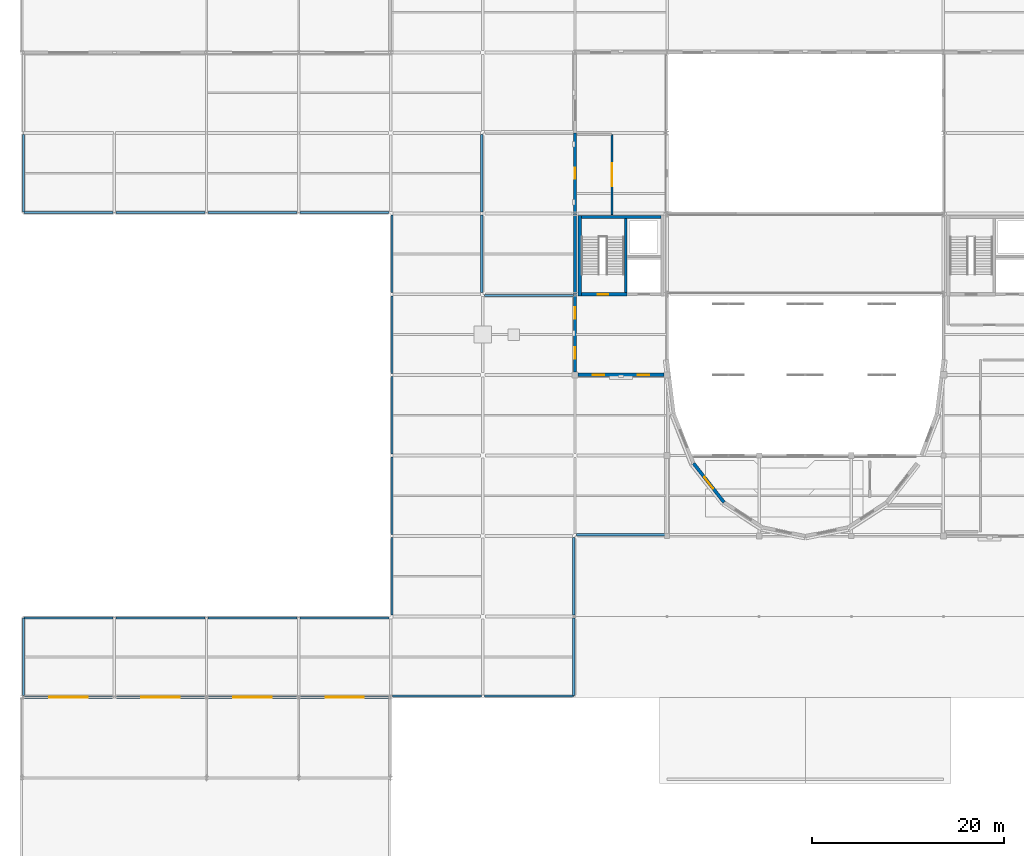
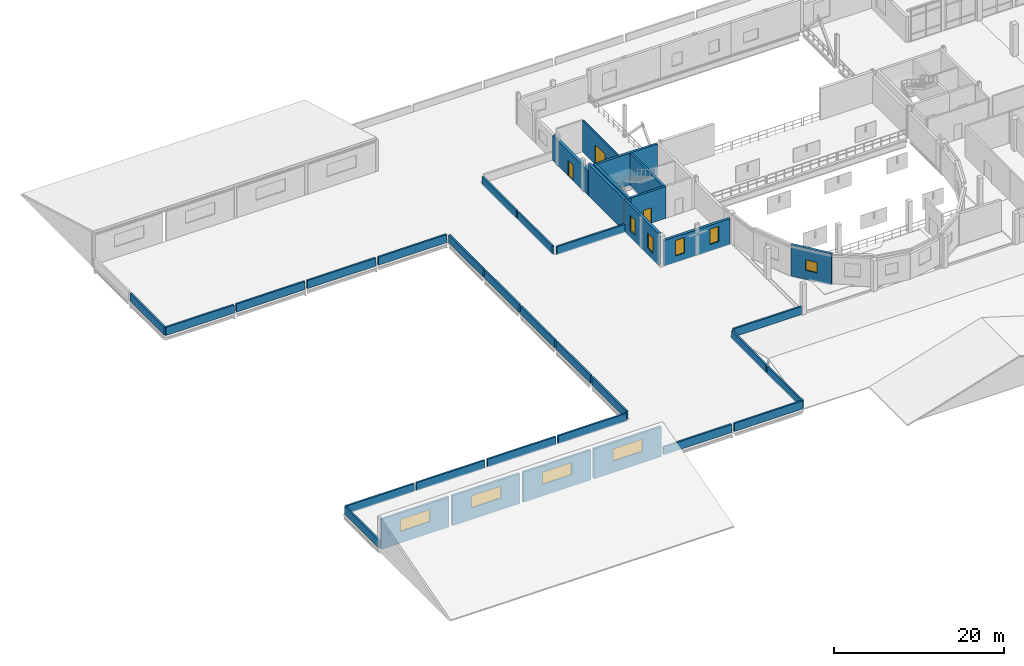
# One storey, part 39 of 52: 37 walls, 9 windows, 3 doors, 12 openings.
"""IFC4 building model written with IfcOpenShell, lengths in metres."""

from ifc_helpers import new_model, si_unit, direction, frame, frame_2d, origin, place, context, subcontext, project, spatial, rectangle, extrude, material, layer, layer_set, type_object, element, fill, save


model = new_model("IFC4")

# Units and contexts
model_context = context("Model", 3, precision=1e-05, world=origin(), true_north=direction((0.0, 1.0)))
body_context = subcontext(model_context, "Body", "Model", "MODEL_VIEW")
ifc_project = project(units=[si_unit("LENGTHUNIT", "METRE"), si_unit("AREAUNIT", "SQUARE_METRE"), si_unit("VOLUMEUNIT", "CUBIC_METRE"), si_unit("PLANEANGLEUNIT", "RADIAN"), si_unit("MASSUNIT", "GRAM", prefix="KILO")], contexts=[model_context])

# Site, building, storey
site_placement = place(None, origin())
site = spatial("IfcSite", under=ifc_project, at=site_placement, CompositionType="ELEMENT")
building_placement = place(site_placement, origin())
building = spatial("IfcBuilding", under=site, at=building_placement, Name="Lornevale Opera House", CompositionType="ELEMENT")
storey_placement = place(building_placement, frame((0.0, 0.0, 15.0)))
storey = spatial("IfcBuildingStorey", under=building, at=storey_placement, Name="L04", CompositionType="ELEMENT", Elevation=15.0)

# Wall, opening, door
ifc_material_1 = material(Name="Concrete 40 MPa (CSA A23.1 C-1)", Category="concrete")
ifc_layer_1 = layer(ifc_material_1, 0.320068359375)
ifc_layer_set_1 = layer_set([ifc_layer_1], Name="Concrete 40 MPa (CSA A23.1 C-1)")
wall_type_1 = type_object("IfcWallType", Name="Core Shear Wall 320", PredefinedType="SHEAR", material=ifc_layer_set_1)
wall_1_placement = place(storey_placement, frame((58.260009765625, 58.800048828125, 0.0), z_axis=(0.0, 0.0, 1.0), x_axis=(1.0, 0.0, 0.0)))
wall_1 = element("IfcWall", 1, at=wall_1_placement, inside=storey, type_object=wall_type_1, Name="Auditorium West Tier Core Core Shear Wall 320 WL-COR-0183", PredefinedType="SHEAR", context=body_context, shape_type="SweptSolid", body=[
    extrude(rectangle(XDim=4.780029296875, YDim=0.320068359375, at=frame_2d((2.39013671875, 0.0))), origin(), (0.0, 0.0, 1.0), 4.56005859375),
])
opening_1_placement = place(wall_1_placement, frame((1.68994140625, 0.0, 0.0)))
opening_1 = element("IfcOpeningElement", 2, at=opening_1_placement, cuts=wall_1, Name="Opening DR-T10", PredefinedType="OPENING", context=body_context, shape_type="SweptSolid", body=[
    extrude(rectangle(XDim=1.10009765625, YDim=2.199951171875, at=frame_2d((0.550048828125, 1.10009765625))), frame((0.0, 0.169921875, 0.0), z_axis=(0.0, -1.0, 0.0), x_axis=(1.0, 0.0, 0.0)), (0.0, 0.0, 1.0), 0.340087890625),
])
ifc_material_2 = material(Name="Painted Hollow Metal Door Steel", Category="steel")
ifc_layer_2 = layer(ifc_material_2, 2.199951171875)
ifc_layer_set_2 = layer_set([ifc_layer_2], Name="Painted Hollow Metal Door Steel")
door_type_1 = type_object("IfcDoorType", Name="Protected Exit Stair Door L 1100x2200", OperationType="NOTDEFINED", PredefinedType="DOOR", material=ifc_layer_set_2)
door_1_placement = place(opening_1_placement, origin())
door_1 = element("IfcDoor", 3, at=door_1_placement, inside=storey, type_object=door_type_1, Name="C5 Stair Door L04", OperationType="SINGLE_SWING_LEFT", OverallHeight=2.199951171875, OverallWidth=1.10009765625, PredefinedType="DOOR", context=body_context, shape_type="SweptSolid", body=[
    extrude(rectangle(XDim=1.10009765625, YDim=2.199951171875, at=frame_2d((0.550048828125, 1.10009765625))), frame((0.0, 0.02490234375, 0.0), z_axis=(0.0, -1.0, 0.0), x_axis=(1.0, 0.0, 0.0)), (0.0, 0.0, 1.0), 0.050048828125),
])
fill(opening_1, door_1)

# Walls
wall_2_placement = place(storey_placement, frame((66.5400390625, 66.840087890625, 0.0), z_axis=(0.0, 0.0, 1.0), x_axis=(-1.0, 0.0, 0.0)))
element("IfcWall", 4, at=wall_2_placement, inside=storey, type_object=wall_type_1, Name="Auditorium West Tier Core Core Shear Wall 320 WL-COR-0185", PredefinedType="SHEAR", context=body_context, shape_type="SweptSolid", body=[
    extrude(rectangle(XDim=8.280029296875, YDim=0.320068359375, at=frame_2d((4.14013671875, 0.0))), origin(), (0.0, 0.0, 1.0), 4.56005859375),
])
wall_3_placement = place(storey_placement, frame((58.10009765625, 67.0, 0.0), z_axis=(0.0, 0.0, 1.0), x_axis=(0.0, -1.0, 0.0)))
element("IfcWall", 5, at=wall_3_placement, inside=storey, type_object=wall_type_1, Name="Auditorium West Tier Core Core Shear Wall 320 WL-COR-0186", PredefinedType="SHEAR", context=body_context, shape_type="SweptSolid", body=[
    extrude(rectangle(XDim=8.360107421875, YDim=0.320068359375, at=frame_2d((4.18017578125, 0.0))), origin(), (0.0, 0.0, 1.0), 4.56005859375),
])
ifc_layer_3 = layer(ifc_material_1, 0.280029296875)
ifc_layer_set_3 = layer_set([ifc_layer_3], Name="Concrete 40 MPa (CSA A23.1 C-1)")
wall_type_2 = type_object("IfcWallType", Name="Elevator Shaft Wall 280", PredefinedType="SHEAR", material=ifc_layer_set_3)
wall_4_placement = place(storey_placement, frame((62.89990234375, 58.9599609375, 0.0), z_axis=(0.0, 0.0, 1.0), x_axis=(0.0, 1.0, 0.0)))
element("IfcWall", 6, at=wall_4_placement, inside=storey, type_object=wall_type_2, Name="Auditorium West Tier Core Elevator Shaft Wall 280 WL-COR-0188", PredefinedType="SHEAR", context=body_context, shape_type="SweptSolid", body=[
    extrude(rectangle(XDim=7.719970703125, YDim=0.280029296875, at=frame_2d((3.85986328125, 0.0))), origin(), (0.0, 0.0, 1.0), 4.56005859375),
])

# Wall, openings, windows
ifc_material_3 = material(Name="Credit Valley Sandstone Ashlar Masonry (25 MPa)", Category="masonry")
ifc_layer_4 = layer(ifc_material_3, 0.340087890625)
ifc_layer_set_4 = layer_set([ifc_layer_4], Name="Credit Valley Sandstone Ashlar Masonry (25 MPa)")
wall_type_3 = type_object("IfcWallType", Name="Polychrome Drum Cavity Wall 340", PredefinedType="SOLIDWALL", material=ifc_layer_set_4)
wall_5_placement = place(storey_placement, frame((66.875, 50.39990234375, 0.0), z_axis=(0.0, 0.0, 1.0), x_axis=(-1.0, 0.0, 0.0)))
wall_5 = element("IfcWall", 7, at=wall_5_placement, inside=storey, type_object=wall_type_3, Name="Polychrome Drum Cavity Wall 340 WL-EXT-0250", PredefinedType="SOLIDWALL", context=body_context, shape_type="SweptSolid", body=[
    extrude(rectangle(XDim=8.949951171875, YDim=0.340087890625, at=frame_2d((4.47509765625, 0.0))), origin(), (0.0, 0.0, 1.0), 3.698974609375),
])
opening_2_placement = place(wall_5_placement, frame((1.548095703125, 0.0, 0.949951171875)))
opening_2 = element("IfcOpeningElement", 8, at=opening_2_placement, cuts=wall_5, Name="Opening WN-T03", PredefinedType="OPENING", context=body_context, shape_type="SweptSolid", body=[
    extrude(rectangle(XDim=1.199951171875, YDim=2.199951171875, at=frame_2d((0.60009765625, 1.10009765625))), frame((0.0, 0.179931640625, 0.0), z_axis=(0.0, -1.0, 0.0), x_axis=(1.0, 0.0, 0.0)), (0.0, 0.0, 1.0), 0.360107421875),
])
opening_3_placement = place(wall_5_placement, frame((6.201904296875, 0.0, 0.949951171875)))
opening_3 = element("IfcOpeningElement", 9, at=opening_3_placement, cuts=wall_5, Name="Opening WN-T03", PredefinedType="OPENING", context=body_context, shape_type="SweptSolid", body=[
    extrude(rectangle(XDim=1.199951171875, YDim=2.199951171875, at=frame_2d((0.60009765625, 1.10009765625))), frame((0.0, 0.179931640625, 0.0), z_axis=(0.0, -1.0, 0.0), x_axis=(1.0, 0.0, 0.0)), (0.0, 0.0, 1.0), 0.360107421875),
])
ifc_material_4 = material(Name="Triple Low-E Insulated Glazing", Category="glass")
ifc_layer_5 = layer(ifc_material_4, 0.06005859375)
ifc_layer_set_5 = layer_set([ifc_layer_5], Name="Triple Low-E Insulated Glazing")
window_type_1 = type_object("IfcWindowType", Name="Punched Deep-Reveal Window 1200x2200", PartitioningType="NOTDEFINED", PredefinedType="WINDOW", material=ifc_layer_set_5)
window_1_placement = place(opening_2_placement, origin())
window_1 = element("IfcWindow", 10, at=window_1_placement, inside=storey, type_object=window_type_1, Name="Punched Deep-Reveal Window 1200x2200 WN-0094", OverallHeight=2.199951171875, OverallWidth=1.199951171875, PartitioningType="SINGLE_PANEL", PredefinedType="WINDOW", context=body_context, shape_type="SweptSolid", body=[
    extrude(rectangle(XDim=1.199951171875, YDim=2.199951171875, at=frame_2d((0.60009765625, 1.10009765625))), frame((0.0, 0.030029296875, 0.0), z_axis=(0.0, -1.0, 0.0), x_axis=(1.0, 0.0, 0.0)), (0.0, 0.0, 1.0), 0.06005859375),
])
fill(opening_2, window_1)
window_2_placement = place(opening_3_placement, origin())
window_2 = element("IfcWindow", 11, at=window_2_placement, inside=storey, type_object=window_type_1, Name="Punched Deep-Reveal Window 1200x2200 WN-0095", OverallHeight=2.199951171875, OverallWidth=1.199951171875, PartitioningType="SINGLE_PANEL", PredefinedType="WINDOW", context=body_context, shape_type="SweptSolid", body=[
    extrude(rectangle(XDim=1.199951171875, YDim=2.199951171875, at=frame_2d((0.60009765625, 1.10009765625))), frame((0.0, 0.030029296875, 0.0), z_axis=(0.0, -1.0, 0.0), x_axis=(1.0, 0.0, 0.0)), (0.0, 0.0, 1.0), 0.06005859375),
])
fill(opening_3, window_2)

wall_6_placement = place(storey_placement, frame((57.60009765625, 50.72509765625, 0.0), z_axis=(0.0, 0.0, 1.0), x_axis=(0.0, 1.0, 0.0)))
wall_6 = element("IfcWall", 12, at=wall_6_placement, inside=storey, type_object=wall_type_3, Name="Polychrome Drum Cavity Wall 340 WL-EXT-0251", PredefinedType="SOLIDWALL", context=body_context, shape_type="SweptSolid", body=[
    extrude(rectangle(XDim=8.054931640625, YDim=0.340087890625, at=frame_2d((4.02734375, 0.0))), origin(), (0.0, 0.0, 1.0), 4.56005859375),
])
opening_4_placement = place(wall_6_placement, frame((1.3330078125, 0.0, 0.949951171875)))
opening_4 = element("IfcOpeningElement", 13, at=opening_4_placement, cuts=wall_6, Name="Opening WN-T03", PredefinedType="OPENING", context=body_context, shape_type="SweptSolid", body=[
    extrude(rectangle(XDim=1.199951171875, YDim=2.199951171875, at=frame_2d((0.60009765625, 1.10009765625))), frame((0.0, 0.179931640625, 0.0), z_axis=(0.0, -1.0, 0.0), x_axis=(1.0, 0.0, 0.0)), (0.0, 0.0, 1.0), 0.360107421875),
])
opening_5_placement = place(wall_6_placement, frame((5.52197265625, 0.0, 0.949951171875)))
opening_5 = element("IfcOpeningElement", 14, at=opening_5_placement, cuts=wall_6, Name="Opening WN-T03", PredefinedType="OPENING", context=body_context, shape_type="SweptSolid", body=[
    extrude(rectangle(XDim=1.199951171875, YDim=2.199951171875, at=frame_2d((0.60009765625, 1.10009765625))), frame((0.0, 0.179931640625, 0.0), z_axis=(0.0, -1.0, 0.0), x_axis=(1.0, 0.0, 0.0)), (0.0, 0.0, 1.0), 0.360107421875),
])
window_3_placement = place(opening_4_placement, origin())
window_3 = element("IfcWindow", 15, at=window_3_placement, inside=storey, type_object=window_type_1, Name="Punched Deep-Reveal Window 1200x2200 WN-0096", OverallHeight=2.199951171875, OverallWidth=1.199951171875, PartitioningType="SINGLE_PANEL", PredefinedType="WINDOW", context=body_context, shape_type="SweptSolid", body=[
    extrude(rectangle(XDim=1.199951171875, YDim=2.199951171875, at=frame_2d((0.60009765625, 1.10009765625))), frame((0.0, 0.030029296875, 0.0), z_axis=(0.0, -1.0, 0.0), x_axis=(1.0, 0.0, 0.0)), (0.0, 0.0, 1.0), 0.06005859375),
])
fill(opening_4, window_3)
window_4_placement = place(opening_5_placement, origin())
window_4 = element("IfcWindow", 16, at=window_4_placement, inside=storey, type_object=window_type_1, Name="Punched Deep-Reveal Window 1200x2200 WN-0097", OverallHeight=2.199951171875, OverallWidth=1.199951171875, PartitioningType="SINGLE_PANEL", PredefinedType="WINDOW", context=body_context, shape_type="SweptSolid", body=[
    extrude(rectangle(XDim=1.199951171875, YDim=2.199951171875, at=frame_2d((0.60009765625, 1.10009765625))), frame((0.0, 0.030029296875, 0.0), z_axis=(0.0, -1.0, 0.0), x_axis=(1.0, 0.0, 0.0)), (0.0, 0.0, 1.0), 0.06005859375),
])
fill(opening_5, window_4)

# Wall
wall_7_placement = place(storey_placement, frame((57.60009765625, 58.820068359375, 0.0), z_axis=(0.0, 0.0, 1.0), x_axis=(0.0, 1.0, 0.0)))
element("IfcWall", 17, at=wall_7_placement, inside=storey, type_object=wall_type_3, Name="Polychrome Drum Cavity Wall 340 WL-EXT-0252", PredefinedType="SOLIDWALL", context=body_context, shape_type="SweptSolid", body=[
    extrude(rectangle(XDim=8.35986328125, YDim=0.340087890625, at=frame_2d((4.179931640625, 0.0))), origin(), (0.0, 0.0, 1.0), 4.56005859375),
])

# Wall, opening, door
wall_8_placement = place(storey_placement, frame((57.60009765625, 67.219970703125, 0.0), z_axis=(0.0, 0.0, 1.0), x_axis=(0.0, 1.0, 0.0)))
wall_8 = element("IfcWall", 18, at=wall_8_placement, inside=storey, type_object=wall_type_3, Name="Polychrome Drum Cavity Wall 340 WL-EXT-0253", PredefinedType="SOLIDWALL", context=body_context, shape_type="SweptSolid", body=[
    extrude(rectangle(XDim=8.375, YDim=0.340087890625, at=frame_2d((4.1875, 0.0))), origin(), (0.0, 0.0, 1.0), 3.575927734375),
])
opening_6_placement = place(wall_8_placement, frame((3.626953125, 0.0, 0.0)))
opening_6 = element("IfcOpeningElement", 19, at=opening_6_placement, cuts=wall_8, Name="Opening DR-T04", PredefinedType="OPENING", context=body_context, shape_type="SweptSolid", body=[
    extrude(rectangle(XDim=1.1201171875, YDim=2.199951171875, at=frame_2d((0.56005859375, 1.10009765625))), frame((0.0, 0.179931640625, 0.0), z_axis=(0.0, -1.0, 0.0), x_axis=(1.0, 0.0, 0.0)), (0.0, 0.0, 1.0), 0.360107421875),
])
ifc_material_5 = material(Name="Anodized Oxide-Green Aluminium Framing", Category="aluminium")
ifc_layer_6 = layer(ifc_material_5, 0.050048828125)
ifc_layer_set_6 = layer_set([ifc_layer_6], Name="Anodized Oxide-Green Aluminium Framing")
door_type_2 = type_object("IfcDoorType", Name="Roof Garden Access Door 1120x2200", OperationType="NOTDEFINED", PredefinedType="DOOR", material=ifc_layer_set_6)
door_2_placement = place(opening_6_placement, origin())
door_2 = element("IfcDoor", 20, at=door_2_placement, inside=storey, type_object=door_type_2, Name="Roof Garden Access Door 1120x2200 DR-EXT-042", OperationType="SINGLE_SWING_LEFT", OverallHeight=2.199951171875, OverallWidth=1.1201171875, PredefinedType="DOOR", context=body_context, shape_type="SweptSolid", body=[
    extrude(rectangle(XDim=1.1201171875, YDim=2.199951171875, at=frame_2d((0.56005859375, 1.10009765625))), frame((0.0, 0.02490234375, 0.0), z_axis=(0.0, -1.0, 0.0), x_axis=(1.0, 0.0, 0.0)), (0.0, 0.0, 1.0), 0.050048828125),
])
fill(opening_6, door_2)

# Wall, opening, window
wall_9_placement = place(storey_placement, frame((69.95751953125, 41.175537109375, 0.0), z_axis=(0.0, 0.0, 1.0), x_axis=(0.616309541044, -0.787503999747, 0.0)))
wall_9 = element("IfcWall", 21, at=wall_9_placement, inside=storey, type_object=wall_type_3, Name="Auditorium Horseshoe Drum Wall WL-DRM-0364", PredefinedType="SOLIDWALL", context=body_context, shape_type="SweptSolid", body=[
    extrude(rectangle(XDim=5.145263671875, YDim=0.340087890625, at=frame_2d((2.57275390625, 0.0))), origin(), (0.0, 0.0, 1.0), 4.47998046875),
])
opening_7_placement = place(wall_9_placement, frame((1.822998046875, 0.0, 1.300048828125)))
opening_7 = element("IfcOpeningElement", 22, at=opening_7_placement, cuts=wall_9, Name="Opening WN-T17", PredefinedType="OPENING", context=body_context, shape_type="SweptSolid", body=[
    extrude(rectangle(XDim=1.5, YDim=1.5, at=frame_2d((0.75, 0.75))), frame((0.0, 0.179931640625, 0.0), z_axis=(0.0, -1.0, 0.0), x_axis=(1.0, 0.0, 0.0)), (0.0, 0.0, 1.0), 0.360107421875),
])
ifc_layer_7 = layer(ifc_material_4, 0.06005859375)
ifc_layer_set_7 = layer_set([ifc_layer_7], Name="Triple Low-E Insulated Glazing")
window_type_2 = type_object("IfcWindowType", Name="Postmodern Drum Ocular Window 1500x1500", PartitioningType="NOTDEFINED", PredefinedType="WINDOW", material=ifc_layer_set_7)
window_5_placement = place(opening_7_placement, origin())
window_5 = element("IfcWindow", 23, at=window_5_placement, inside=storey, type_object=window_type_2, Name="Postmodern Drum Ocular Window 1500x1500 WN-0161", OverallHeight=1.5, OverallWidth=1.5, PartitioningType="SINGLE_PANEL", PredefinedType="WINDOW", context=body_context, shape_type="SweptSolid", body=[
    extrude(rectangle(XDim=1.5, YDim=1.5, at=frame_2d((0.75, 0.75))), frame((0.0, 0.030029296875, 0.0), z_axis=(0.0, -1.0, 0.0), x_axis=(1.0, 0.0, 0.0)), (0.0, 0.0, 1.0), 0.06005859375),
])
fill(opening_7, window_5)

# Wall, opening, door
ifc_material_6 = material(Name="Acoustic Mineral-Core Gypsum Partition", Category="gypsum")
ifc_layer_8 = layer(ifc_material_6, 0.199951171875)
ifc_layer_set_8 = layer_set([ifc_layer_8], Name="Acoustic Mineral-Core Gypsum Partition")
wall_type_4 = type_object("IfcWallType", Name="Practice Studio Double-Stud Wall 200", PredefinedType="SOLIDWALL", material=ifc_layer_set_8)
wall_10_placement = place(storey_placement, frame((61.4599609375, 67.090087890625, 0.0), z_axis=(0.0, 0.0, 1.0), x_axis=(0.0, 1.0, 0.0)))
wall_10 = element("IfcWall", 24, at=wall_10_placement, inside=storey, type_object=wall_type_4, Name="L04 Partition WL-INT-0890", PredefinedType="SOLIDWALL", context=body_context, shape_type="SweptSolid", body=[
    extrude(rectangle(XDim=8.309814453125, YDim=0.199951171875, at=frame_2d((4.15478515625, 0.0))), origin(), (0.0, 0.0, 1.0), 4.47998046875),
])
opening_8_placement = place(wall_10_placement, frame((2.955078125, 0.0, 0.0)))
opening_8 = element("IfcOpeningElement", 25, at=opening_8_placement, cuts=wall_10, Name="Opening DR-T16", PredefinedType="OPENING", context=body_context, shape_type="SweptSolid", body=[
    extrude(rectangle(XDim=2.39990234375, YDim=2.800048828125, at=frame_2d((1.199951171875, 1.39990234375))), frame((0.0, 0.10986328125, 0.0), z_axis=(0.0, -1.0, 0.0), x_axis=(1.0, 0.0, 0.0)), (0.0, 0.0, 1.0), 0.219970703125),
])
ifc_layer_9 = layer(ifc_material_2, 2.800048828125)
ifc_layer_set_9 = layer_set([ifc_layer_9], Name="Painted Hollow Metal Door Steel")
door_type_3 = type_object("IfcDoorType", Name="Stage Scenery Double Door 2400x2800", OperationType="NOTDEFINED", PredefinedType="DOOR", material=ifc_layer_set_9)
door_3_placement = place(opening_8_placement, origin())
door_3 = element("IfcDoor", 26, at=door_3_placement, inside=storey, type_object=door_type_3, Name="Stage Lighting Bridge Gallery Door", OperationType="DOUBLE_SWING_LEFT", OverallHeight=2.800048828125, OverallWidth=2.39990234375, PredefinedType="DOOR", context=body_context, shape_type="SweptSolid", body=[
    extrude(rectangle(XDim=2.39990234375, YDim=2.800048828125, at=frame_2d((1.199951171875, 1.39990234375))), frame((0.0, 0.02490234375, 0.0), z_axis=(0.0, -1.0, 0.0), x_axis=(1.0, 0.0, 0.0)), (0.0, 0.0, 1.0), 0.050048828125),
])
fill(opening_8, door_3)

# Wall, opening, window
ifc_material_7 = material(Name="Queenston Buff Limestone Ashlar Masonry (25 MPa)", Category="masonry")
ifc_layer_10 = layer(ifc_material_7, 0.31005859375)
ifc_layer_set_10 = layer_set([ifc_layer_10], Name="Queenston Buff Limestone Ashlar Masonry (25 MPa)")
wall_type_5 = type_object("IfcWallType", Name="Rehearsal Pavilion Limestone Wall 310", PredefinedType="SOLIDWALL", material=ifc_layer_set_10)
wall_11_placement = place(storey_placement, frame((0.219970703125, 16.800048828125, 0.0), z_axis=(0.0, 0.0, 1.0), x_axis=(1.0, 0.0, 0.0)))
wall_11 = element("IfcWall", 27, at=wall_11_placement, inside=storey, type_object=wall_type_5, Name="South Studio North-Light Clerestory WL-CLR-0373", PredefinedType="SOLIDWALL", context=body_context, shape_type="SweptSolid", body=[
    extrude(rectangle(XDim=9.159912109375, YDim=0.31005859375, at=frame_2d((4.580078125, 0.0))), origin(), (0.0, 0.0, 1.0), 4.296875),
])
opening_9_placement = place(wall_11_placement, frame((2.580078125, 0.0, 1.64990234375)))
opening_9 = element("IfcOpeningElement", 28, at=opening_9_placement, cuts=wall_11, Name="Opening WN-T13", PredefinedType="OPENING", context=body_context, shape_type="SweptSolid", body=[
    extrude(rectangle(XDim=4.0, YDim=1.75, at=frame_2d((2.0, 0.875))), frame((0.0, 0.1650390625, 0.0), z_axis=(0.0, -1.0, 0.0), x_axis=(1.0, 0.0, 0.0)), (0.0, 0.0, 1.0), 0.330078125),
])
ifc_layer_11 = layer(ifc_material_4, 0.06005859375)
ifc_layer_set_11 = layer_set([ifc_layer_11], Name="Triple Low-E Insulated Glazing")
window_type_3 = type_object("IfcWindowType", Name="Monopitch North-Light Window 4000x1750", PartitioningType="NOTDEFINED", PredefinedType="WINDOW", material=ifc_layer_set_11)
window_6_placement = place(opening_9_placement, origin())
window_6 = element("IfcWindow", 29, at=window_6_placement, inside=storey, type_object=window_type_3, Name="Monopitch Clerestory Window WN-0168", OverallHeight=1.75, OverallWidth=4.0, PartitioningType="SINGLE_PANEL", PredefinedType="WINDOW", context=body_context, shape_type="SweptSolid", body=[
    extrude(rectangle(XDim=4.0, YDim=1.75, at=frame_2d((2.0, 0.875))), frame((0.0, 0.030029296875, 0.0), z_axis=(0.0, -1.0, 0.0), x_axis=(1.0, 0.0, 0.0)), (0.0, 0.0, 1.0), 0.06005859375),
])
fill(opening_9, window_6)

wall_12_placement = place(storey_placement, frame((9.820068359375, 16.800048828125, 0.0), z_axis=(0.0, 0.0, 1.0), x_axis=(1.0, 0.0, 0.0)))
wall_12 = element("IfcWall", 30, at=wall_12_placement, inside=storey, type_object=wall_type_5, Name="South Studio North-Light Clerestory WL-CLR-0374", PredefinedType="SOLIDWALL", context=body_context, shape_type="SweptSolid", body=[
    extrude(rectangle(XDim=9.159912109375, YDim=0.31005859375, at=frame_2d((4.580078125, 0.0))), origin(), (0.0, 0.0, 1.0), 4.296875),
])
opening_10_placement = place(wall_12_placement, frame((2.580078125, 0.0, 1.64990234375)))
opening_10 = element("IfcOpeningElement", 31, at=opening_10_placement, cuts=wall_12, Name="Opening WN-T13", PredefinedType="OPENING", context=body_context, shape_type="SweptSolid", body=[
    extrude(rectangle(XDim=4.0, YDim=1.75, at=frame_2d((2.0, 0.875))), frame((0.0, 0.1650390625, 0.0), z_axis=(0.0, -1.0, 0.0), x_axis=(1.0, 0.0, 0.0)), (0.0, 0.0, 1.0), 0.330078125),
])
window_7_placement = place(opening_10_placement, origin())
window_7 = element("IfcWindow", 32, at=window_7_placement, inside=storey, type_object=window_type_3, Name="Monopitch Clerestory Window WN-0169", OverallHeight=1.75, OverallWidth=4.0, PartitioningType="SINGLE_PANEL", PredefinedType="WINDOW", context=body_context, shape_type="SweptSolid", body=[
    extrude(rectangle(XDim=4.0, YDim=1.75, at=frame_2d((2.0, 0.875))), frame((0.0, 0.030029296875, 0.0), z_axis=(0.0, -1.0, 0.0), x_axis=(1.0, 0.0, 0.0)), (0.0, 0.0, 1.0), 0.06005859375),
])
fill(opening_10, window_7)

wall_13_placement = place(storey_placement, frame((19.419921875, 16.800048828125, 0.0), z_axis=(0.0, 0.0, 1.0), x_axis=(1.0, 0.0, 0.0)))
wall_13 = element("IfcWall", 33, at=wall_13_placement, inside=storey, type_object=wall_type_5, Name="South Studio North-Light Clerestory WL-CLR-0375", PredefinedType="SOLIDWALL", context=body_context, shape_type="SweptSolid", body=[
    extrude(rectangle(XDim=9.16015625, YDim=0.31005859375, at=frame_2d((4.580078125, 0.0))), origin(), (0.0, 0.0, 1.0), 4.296875),
])
opening_11_placement = place(wall_13_placement, frame((2.580078125, 0.0, 1.64990234375)))
opening_11 = element("IfcOpeningElement", 34, at=opening_11_placement, cuts=wall_13, Name="Opening WN-T13", PredefinedType="OPENING", context=body_context, shape_type="SweptSolid", body=[
    extrude(rectangle(XDim=4.0, YDim=1.75, at=frame_2d((2.0, 0.875))), frame((0.0, 0.1650390625, 0.0), z_axis=(0.0, -1.0, 0.0), x_axis=(1.0, 0.0, 0.0)), (0.0, 0.0, 1.0), 0.330078125),
])
window_8_placement = place(opening_11_placement, origin())
window_8 = element("IfcWindow", 35, at=window_8_placement, inside=storey, type_object=window_type_3, Name="Monopitch Clerestory Window WN-0170", OverallHeight=1.75, OverallWidth=4.0, PartitioningType="SINGLE_PANEL", PredefinedType="WINDOW", context=body_context, shape_type="SweptSolid", body=[
    extrude(rectangle(XDim=4.0, YDim=1.75, at=frame_2d((2.0, 0.875))), frame((0.0, 0.030029296875, 0.0), z_axis=(0.0, -1.0, 0.0), x_axis=(1.0, 0.0, 0.0)), (0.0, 0.0, 1.0), 0.06005859375),
])
fill(opening_11, window_8)

wall_14_placement = place(storey_placement, frame((29.02001953125, 16.800048828125, 0.0), z_axis=(0.0, 0.0, 1.0), x_axis=(1.0, 0.0, 0.0)))
wall_14 = element("IfcWall", 36, at=wall_14_placement, inside=storey, type_object=wall_type_5, Name="South Studio North-Light Clerestory WL-CLR-0376", PredefinedType="SOLIDWALL", context=body_context, shape_type="SweptSolid", body=[
    extrude(rectangle(XDim=9.159912109375, YDim=0.31005859375, at=frame_2d((4.580078125, 0.0))), origin(), (0.0, 0.0, 1.0), 4.296875),
])
opening_12_placement = place(wall_14_placement, frame((2.580078125, 0.0, 1.64990234375)))
opening_12 = element("IfcOpeningElement", 37, at=opening_12_placement, cuts=wall_14, Name="Opening WN-T13", PredefinedType="OPENING", context=body_context, shape_type="SweptSolid", body=[
    extrude(rectangle(XDim=4.0, YDim=1.75, at=frame_2d((2.0, 0.875))), frame((0.0, 0.1650390625, 0.0), z_axis=(0.0, -1.0, 0.0), x_axis=(1.0, 0.0, 0.0)), (0.0, 0.0, 1.0), 0.330078125),
])
window_9_placement = place(opening_12_placement, origin())
window_9 = element("IfcWindow", 38, at=window_9_placement, inside=storey, type_object=window_type_3, Name="Monopitch Clerestory Window WN-0171", OverallHeight=1.75, OverallWidth=4.0, PartitioningType="SINGLE_PANEL", PredefinedType="WINDOW", context=body_context, shape_type="SweptSolid", body=[
    extrude(rectangle(XDim=4.0, YDim=1.75, at=frame_2d((2.0, 0.875))), frame((0.0, 0.030029296875, 0.0), z_axis=(0.0, -1.0, 0.0), x_axis=(1.0, 0.0, 0.0)), (0.0, 0.0, 1.0), 0.06005859375),
])
fill(opening_12, window_9)

# Walls
ifc_layer_12 = layer(ifc_material_7, 0.239990234375)
ifc_layer_set_12 = layer_set([ifc_layer_12], Name="Queenston Buff Limestone Ashlar Masonry (25 MPa)")
wall_type_6 = type_object("IfcWallType", Name="Stone Coped Parapet Wall 240", PredefinedType="PARAPET", material=ifc_layer_set_12)
wall_15_placement = place(storey_placement, frame((28.9599609375, 25.070068359375, 0.0), z_axis=(0.0, 0.0, 1.0), x_axis=(1.0, 0.0, 0.0)))
element("IfcWall", 39, at=wall_15_placement, inside=storey, type_object=wall_type_6, Name="Stone Coped Parapet Wall 240 0427", PredefinedType="PARAPET", context=body_context, shape_type="SweptSolid", body=[
    extrude(rectangle(XDim=9.280029296875, YDim=0.239990234375, at=frame_2d((4.64013671875, 0.0))), origin(), (0.0, 0.0, 1.0), 1.14990234375),
])
wall_16_placement = place(storey_placement, frame((38.530029296875, 25.360107421875, 0.0), z_axis=(0.0, 0.0, 1.0), x_axis=(0.0, 1.0, 0.0)))
element("IfcWall", 40, at=wall_16_placement, inside=storey, type_object=wall_type_6, Name="Stone Coped Parapet Wall 240 0428", PredefinedType="PARAPET", context=body_context, shape_type="SweptSolid", body=[
    extrude(rectangle(XDim=8.079833984375, YDim=0.239990234375, at=frame_2d((4.0400390625, 0.0))), origin(), (0.0, 0.0, 1.0), 1.14990234375),
])
for number, where, z_axis, x_axis, name in (
    (41, (38.530029296875, 33.760009765625, 0.0), (0.0, 0.0, 1.0), (0.0, 1.0, 0.0), "Stone Coped Parapet Wall 240 0429"),
    (42, (38.530029296875, 42.159912109375, 0.0), (0.0, 0.0, 1.0), (0.0, 1.0, 0.0), "Stone Coped Parapet Wall 240 0430"),
):
    element("IfcWall", number, at=place(storey_placement, frame(where, z_axis=z_axis, x_axis=x_axis)), inside=storey, type_object=wall_type_6, Name=name, PredefinedType="PARAPET", context=body_context, shape_type="SweptSolid", body=[
        extrude(rectangle(XDim=8.080078125, YDim=0.239990234375, at=frame_2d((4.0400390625, 0.0))), origin(), (0.0, 0.0, 1.0), 1.14990234375),
    ])
wall_17_placement = place(storey_placement, frame((38.530029296875, 50.56005859375, 0.0), z_axis=(0.0, 0.0, 1.0), x_axis=(0.0, 1.0, 0.0)))
element("IfcWall", 43, at=wall_17_placement, inside=storey, type_object=wall_type_6, Name="Stone Coped Parapet Wall 240 0431", PredefinedType="PARAPET", context=body_context, shape_type="SweptSolid", body=[
    extrude(rectangle(XDim=8.079833984375, YDim=0.239990234375, at=frame_2d((4.0400390625, 0.0))), origin(), (0.0, 0.0, 1.0), 1.14990234375),
])
wall_18_placement = place(storey_placement, frame((38.530029296875, 58.9599609375, 0.0), z_axis=(0.0, 0.0, 1.0), x_axis=(0.0, 1.0, 0.0)))
element("IfcWall", 44, at=wall_18_placement, inside=storey, type_object=wall_type_6, Name="Stone Coped Parapet Wall 240 0432", PredefinedType="PARAPET", context=body_context, shape_type="SweptSolid", body=[
    extrude(rectangle(XDim=8.080078125, YDim=0.239990234375, at=frame_2d((4.0400390625, 0.0))), origin(), (0.0, 0.0, 1.0), 1.14990234375),
])
wall_19_placement = place(storey_placement, frame((38.239990234375, 67.330078125, 0.0), z_axis=(0.0, 0.0, 1.0), x_axis=(-1.0, 0.0, 0.0)))
element("IfcWall", 45, at=wall_19_placement, inside=storey, type_object=wall_type_6, Name="Stone Coped Parapet Wall 240 0433", PredefinedType="PARAPET", context=body_context, shape_type="SweptSolid", body=[
    extrude(rectangle(XDim=9.280029296875, YDim=0.239990234375, at=frame_2d((4.64013671875, 0.0))), origin(), (0.0, 0.0, 1.0), 1.14990234375),
])
wall_20_placement = place(storey_placement, frame((28.639892578125, 67.330078125, 0.0), z_axis=(0.0, 0.0, 1.0), x_axis=(-1.0, 0.0, 0.0)))
element("IfcWall", 46, at=wall_20_placement, inside=storey, type_object=wall_type_6, Name="Stone Coped Parapet Wall 240 0434", PredefinedType="PARAPET", context=body_context, shape_type="SweptSolid", body=[
    extrude(rectangle(XDim=9.27978515625, YDim=0.239990234375, at=frame_2d((4.639892578125, 0.0))), origin(), (0.0, 0.0, 1.0), 1.14990234375),
])
for number, where, z_axis, x_axis, name in (
    (47, (19.0400390625, 67.330078125, 0.0), (0.0, 0.0, 1.0), (-1.0, 0.0, 0.0), "Stone Coped Parapet Wall 240 0435"),
    (48, (9.43994140625, 67.330078125, 0.0), (0.0, 0.0, 1.0), (-1.0, 0.0, 0.0), "Stone Coped Parapet Wall 240 0436"),
):
    element("IfcWall", number, at=place(storey_placement, frame(where, z_axis=z_axis, x_axis=x_axis)), inside=storey, type_object=wall_type_6, Name=name, PredefinedType="PARAPET", context=body_context, shape_type="SweptSolid", body=[
        extrude(rectangle(XDim=9.280029296875, YDim=0.239990234375, at=frame_2d((4.64013671875, 0.0))), origin(), (0.0, 0.0, 1.0), 1.14990234375),
    ])
for number, where, z_axis, x_axis, name in (
    (49, (0.1298828125, 67.360107421875, 0.0), (0.0, 0.0, 1.0), (0.0, 1.0, 0.0), "Stone Coped Parapet Wall 240 0437"),
    (50, (47.8701171875, 75.43994140625, 0.0), (0.0, 0.0, 1.0), (0.0, -1.0, 0.0), "Stone Coped Parapet Wall 240 0451"),
):
    element("IfcWall", number, at=place(storey_placement, frame(where, z_axis=z_axis, x_axis=x_axis)), inside=storey, type_object=wall_type_6, Name=name, PredefinedType="PARAPET", context=body_context, shape_type="SweptSolid", body=[
        extrude(rectangle(XDim=8.079833984375, YDim=0.239990234375, at=frame_2d((4.0400390625, 0.0))), origin(), (0.0, 0.0, 1.0), 1.14990234375),
    ])
wall_21_placement = place(storey_placement, frame((47.8701171875, 67.0400390625, 0.0), z_axis=(0.0, 0.0, 1.0), x_axis=(0.0, -1.0, 0.0)))
element("IfcWall", 51, at=wall_21_placement, inside=storey, type_object=wall_type_6, Name="Stone Coped Parapet Wall 240 0452", PredefinedType="PARAPET", context=body_context, shape_type="SweptSolid", body=[
    extrude(rectangle(XDim=8.080078125, YDim=0.239990234375, at=frame_2d((4.0400390625, 0.0))), origin(), (0.0, 0.0, 1.0), 1.14990234375),
])
for number, where, z_axis, x_axis, name in (
    (52, (48.159912109375, 58.669921875, 0.0), (0.0, 0.0, 1.0), (1.0, 0.0, 0.0), "Stone Coped Parapet Wall 240 0453"),
    (53, (67.0400390625, 33.72998046875, 0.0), (0.0, 0.0, 1.0), (-1.0, 0.0, 0.0), "Stone Coped Parapet Wall 240 0454"),
):
    element("IfcWall", number, at=place(storey_placement, frame(where, z_axis=z_axis, x_axis=x_axis)), inside=storey, type_object=wall_type_6, Name=name, PredefinedType="PARAPET", context=body_context, shape_type="SweptSolid", body=[
        extrude(rectangle(XDim=9.280029296875, YDim=0.239990234375, at=frame_2d((4.64013671875, 0.0))), origin(), (0.0, 0.0, 1.0), 1.14990234375),
    ])
wall_22_placement = place(storey_placement, frame((57.469970703125, 33.43994140625, 0.0), z_axis=(0.0, 0.0, 1.0), x_axis=(0.0, -1.0, 0.0)))
element("IfcWall", 54, at=wall_22_placement, inside=storey, type_object=wall_type_6, Name="Stone Coped Parapet Wall 240 0455", PredefinedType="PARAPET", context=body_context, shape_type="SweptSolid", body=[
    extrude(rectangle(XDim=8.079833984375, YDim=0.239990234375, at=frame_2d((4.0400390625, 0.0))), origin(), (0.0, 0.0, 1.0), 1.14990234375),
])
wall_23_placement = place(storey_placement, frame((57.469970703125, 25.0400390625, 0.0), z_axis=(0.0, 0.0, 1.0), x_axis=(0.0, -1.0, 0.0)))
element("IfcWall", 55, at=wall_23_placement, inside=storey, type_object=wall_type_6, Name="Stone Coped Parapet Wall 240 0456", PredefinedType="PARAPET", context=body_context, shape_type="SweptSolid", body=[
    extrude(rectangle(XDim=8.080078125, YDim=0.239990234375, at=frame_2d((4.0400390625, 0.0))), origin(), (0.0, 0.0, 1.0), 1.14990234375),
])
for number, where, z_axis, x_axis, name in (
    (56, (57.43994140625, 16.929931640625, 0.0), (0.0, 0.0, 1.0), (-1.0, 0.0, 0.0), "Stone Coped Parapet Wall 240 0457"),
    (57, (47.840087890625, 16.929931640625, 0.0), (0.0, 0.0, 1.0), (-1.0, 0.0, 0.0), "Stone Coped Parapet Wall 240 0458"),
):
    element("IfcWall", number, at=place(storey_placement, frame(where, z_axis=z_axis, x_axis=x_axis)), inside=storey, type_object=wall_type_6, Name=name, PredefinedType="PARAPET", context=body_context, shape_type="SweptSolid", body=[
        extrude(rectangle(XDim=9.280029296875, YDim=0.239990234375, at=frame_2d((4.64013671875, 0.0))), origin(), (0.0, 0.0, 1.0), 1.14990234375),
    ])
wall_24_placement = place(storey_placement, frame((0.1298828125, 16.9599609375, 0.0), z_axis=(0.0, 0.0, 1.0), x_axis=(0.0, 1.0, 0.0)))
element("IfcWall", 58, at=wall_24_placement, inside=storey, type_object=wall_type_6, Name="Stone Coped Parapet Wall 240 0459", PredefinedType="PARAPET", context=body_context, shape_type="SweptSolid", body=[
    extrude(rectangle(XDim=8.080078125, YDim=0.239990234375, at=frame_2d((4.0400390625, 0.0))), origin(), (0.0, 0.0, 1.0), 1.14990234375),
])
for number, where, z_axis, x_axis, name in (
    (59, (0.159912109375, 25.070068359375, 0.0), (0.0, 0.0, 1.0), (1.0, 0.0, 0.0), "Stone Coped Parapet Wall 240 0460"),
    (60, (9.760009765625, 25.070068359375, 0.0), (0.0, 0.0, 1.0), (1.0, 0.0, 0.0), "Stone Coped Parapet Wall 240 0461"),
):
    element("IfcWall", number, at=place(storey_placement, frame(where, z_axis=z_axis, x_axis=x_axis)), inside=storey, type_object=wall_type_6, Name=name, PredefinedType="PARAPET", context=body_context, shape_type="SweptSolid", body=[
        extrude(rectangle(XDim=9.280029296875, YDim=0.239990234375, at=frame_2d((4.64013671875, 0.0))), origin(), (0.0, 0.0, 1.0), 1.14990234375),
    ])
wall_25_placement = place(storey_placement, frame((19.360107421875, 25.070068359375, 0.0), z_axis=(0.0, 0.0, 1.0), x_axis=(1.0, 0.0, 0.0)))
element("IfcWall", 61, at=wall_25_placement, inside=storey, type_object=wall_type_6, Name="Stone Coped Parapet Wall 240 0462", PredefinedType="PARAPET", context=body_context, shape_type="SweptSolid", body=[
    extrude(rectangle(XDim=9.27978515625, YDim=0.239990234375, at=frame_2d((4.639892578125, 0.0))), origin(), (0.0, 0.0, 1.0), 1.14990234375),
])

save(model, "model.ifc")
